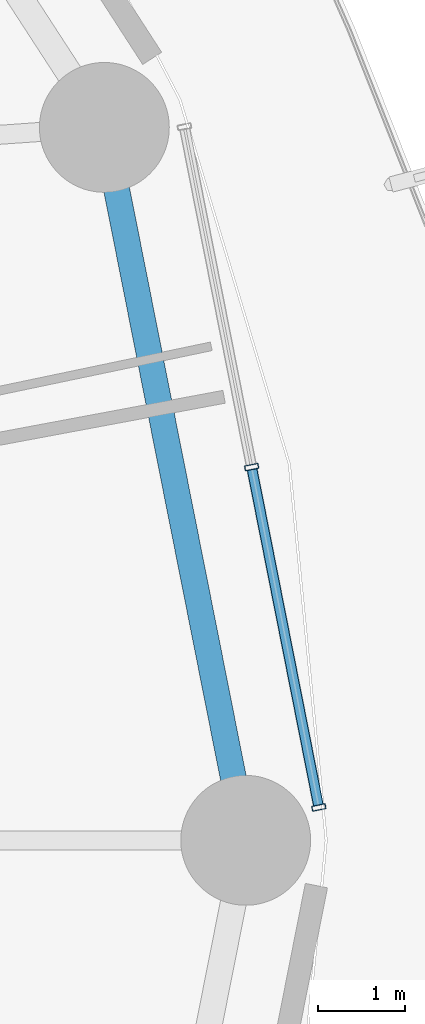
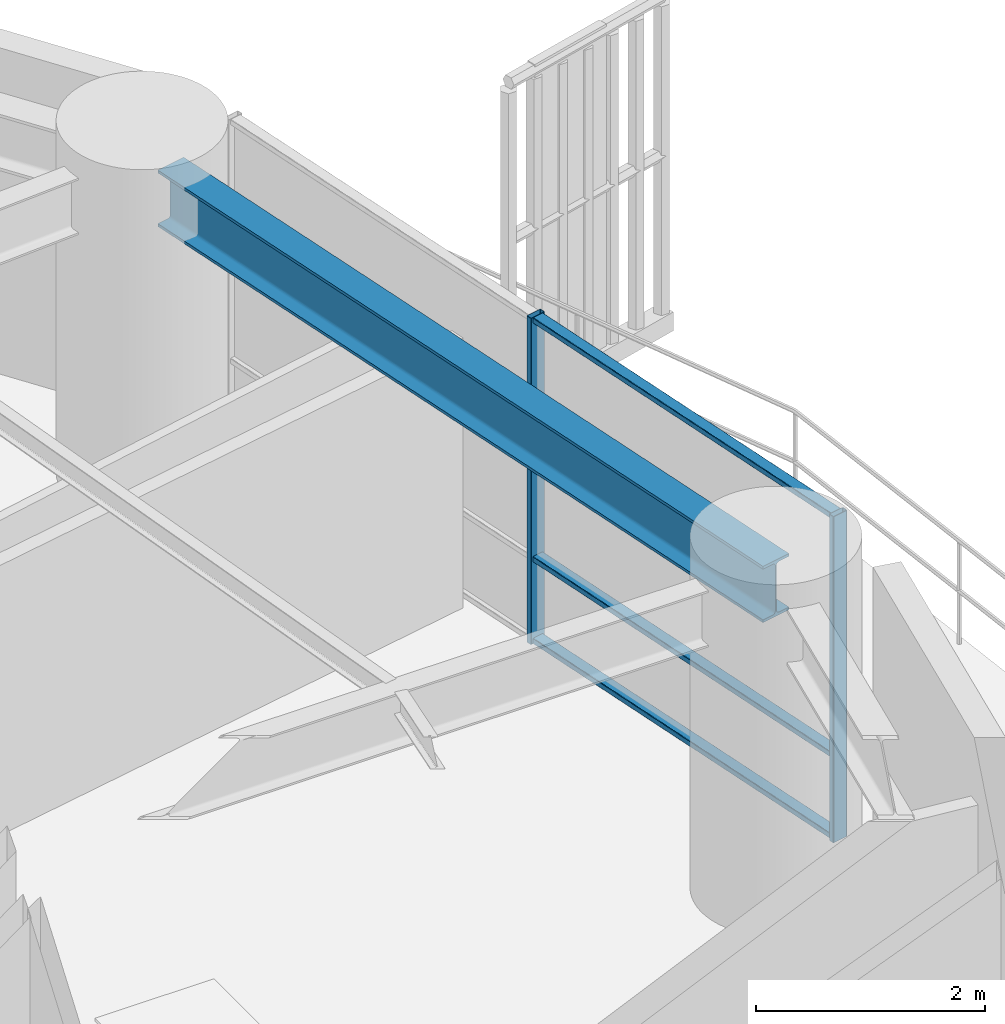
# One storey, part 14 of 33: 5 members, 1 beam, 1 element without a shape of its own.
"""IFC4 building model written with IfcOpenShell, lengths in metres."""

from ifc_helpers import new_model, si_unit, direction, frame, origin, origin_2d, place, context, subcontext, project, spatial, hollow_rectangle, i_section, extrude, material, layer, layer_set, material_profile, profile_set, type_object, element, aggregate, save


model = new_model("IFC4")

# Units and contexts
model_context = context("Model", 3, precision=1e-05, world=origin(), true_north=direction((0.0, 1.0)))
body_context = subcontext(model_context, "Body", "Model", "MODEL_VIEW")
ifc_project = project(units=[si_unit("LENGTHUNIT", "METRE"), si_unit("AREAUNIT", "SQUARE_METRE"), si_unit("VOLUMEUNIT", "CUBIC_METRE"), si_unit("PLANEANGLEUNIT", "RADIAN"), si_unit("MASSUNIT", "GRAM", prefix="KILO")], contexts=[model_context])

# Site, building, storey
site_placement = place(None, origin())
site = spatial("IfcSite", under=ifc_project, at=site_placement, CompositionType="ELEMENT")
building_placement = place(site_placement, origin())
building = spatial("IfcBuilding", under=site, at=building_placement, Name="Kelanora Arch Commons", CompositionType="ELEMENT")
storey_placement = place(building_placement, frame((0.0, 0.0, 37.5)))
storey = spatial("IfcBuildingStorey", under=building, at=storey_placement, Name="L09", CompositionType="ELEMENT", Elevation=37.5)

# Beam
ifc_material_1 = material(Name="Steel S355", Category="steel")
ifc_material_profile_1 = material_profile(ifc_material_1, i_section(OverallWidth=0.300048828125, OverallDepth=0.60009765625, WebThickness=0.015380859375, FlangeThickness=0.030029296875, FilletRadius=0.027099609375, at=origin_2d()), Name="HEB600")
ifc_profile_set_1 = profile_set([ifc_material_profile_1], Name="Steel S355")
beam_type = type_object("IfcBeamType", Name="BM-SPN-Z1", PredefinedType="SPANDREL", material=ifc_profile_set_1)
beam_placement = place(storey_placement, frame((101.080078125, 58.0, 3.18994140625), z_axis=(-0.194522790633, 0.980897998736, 0.0), x_axis=(-0.980897998736, -0.194522790633, 0.0)))
element("IfcBeam", 1, at=beam_placement, inside=storey, type_object=beam_type, Name="Perimeter Spandrel Beam BS-00 L09", PredefinedType="SPANDREL", context=body_context, shape_type="SweptSolid", body=[
    extrude(i_section(OverallWidth=0.300048828125, OverallDepth=0.60009765625, WebThickness=0.015380859375, FlangeThickness=0.030029296875, FilletRadius=0.027099609375, at=origin_2d()), origin(), (0.0, 0.0, 1.0), 8.01611328125),
])

# Curtain wall, members
ifc_material_2 = material(Name="Terracotta ceramic-fritted low-E glass and aluminium", Category="masonry")
ifc_layer = layer(ifc_material_2, 0.159912109375)
ifc_layer_set = layer_set([ifc_layer], Name="Terracotta ceramic-fritted low-E glass and aluminium")
curtain_wall_type = type_object("IfcCurtainWallType", Name="CW-SYS-01", PredefinedType="NOTDEFINED", material=ifc_layer_set)
curtain_wall_placement = place(storey_placement, origin())
curtain_wall = element("IfcCurtainWall", 2, at=curtain_wall_placement, inside=storey, type_object=curtain_wall_type, Name="Unitised Curtain Wall L09-B00", PredefinedType="NOTDEFINED")
ifc_material_3 = material(Name="Powder-coated aluminium terracotta", Category="masonry")
ifc_material_profile_2 = material_profile(ifc_material_3, hollow_rectangle(XDim=0.159912109375, YDim=0.06005859375, WallThickness=0.0048828125, InnerFilletRadius=0.0048828125, OuterFilletRadius=0.010009765625, at=origin_2d()), Name="CWM160x60")
ifc_profile_set_2 = profile_set([ifc_material_profile_2], Name="Powder-coated aluminium terracotta")
member_type_1 = type_object("IfcMemberType", Name="CWM-STD", PredefinedType="MULLION", material=ifc_profile_set_2)
member_1_placement = place(storey_placement, frame((101.925048828125, 58.379150390625, 0.0), z_axis=(0.0, 0.0, 1.0), x_axis=(-0.981052110579, -0.193744048498, 0.0)))
member_1 = element("IfcMember", 3, at=member_1_placement, type_object=member_type_1, Name="CW-01 mullion 1", PredefinedType="MULLION", context=body_context, shape_type="SweptSolid", body=[
    extrude(hollow_rectangle(XDim=0.159912109375, YDim=0.06005859375, WallThickness=0.0048828125, InnerFilletRadius=0.0048828125, OuterFilletRadius=0.010009765625, at=origin_2d()), origin(), (0.0, 0.0, 1.0), 3.47509765625),
])
member_2_placement = place(storey_placement, frame((101.1484375, 62.3115234375, 0.0), z_axis=(0.0, 0.0, 1.0), x_axis=(-0.981052110579, -0.193744048498, 0.0)))
member_2 = element("IfcMember", 4, at=member_2_placement, type_object=member_type_1, Name="CW-01 mullion 2", PredefinedType="MULLION", context=body_context, shape_type="SweptSolid", body=[
    extrude(hollow_rectangle(XDim=0.159912109375, YDim=0.06005859375, WallThickness=0.0048828125, InnerFilletRadius=0.0048828125, OuterFilletRadius=0.010009765625, at=origin_2d()), origin(), (0.0, 0.0, 1.0), 3.47509765625),
])
ifc_material_profile_3 = material_profile(ifc_material_3, hollow_rectangle(XDim=0.1201171875, YDim=0.06005859375, WallThickness=0.0048828125, InnerFilletRadius=0.0048828125, OuterFilletRadius=0.010009765625, at=origin_2d()), Name="CWT120x60")
ifc_profile_set_3 = profile_set([ifc_material_profile_3], Name="Powder-coated aluminium terracotta")
member_type_2 = type_object("IfcMemberType", Name="CWT-STD", PredefinedType="USERDEFINED", material=ifc_profile_set_3)
member_3_placement = place(storey_placement, frame((101.919189453125, 58.408447265625, 0.030029296875), z_axis=(-0.193725436624, 0.98105578598, 0.0), x_axis=(-0.98105578598, -0.193725436624, 0.0)))
member_3 = element("IfcMember", 5, at=member_3_placement, type_object=member_type_2, Name="CW-01 transom 1.1", ObjectType="TRANSOM", PredefinedType="USERDEFINED", context=body_context, shape_type="SweptSolid", body=[
    extrude(hollow_rectangle(XDim=0.1201171875, YDim=0.06005859375, WallThickness=0.0048828125, InnerFilletRadius=0.0048828125, OuterFilletRadius=0.010009765625, at=origin_2d()), origin(), (0.0, 0.0, 1.0), 3.9482421875),
])
member_4_placement = place(storey_placement, frame((101.919189453125, 58.408447265625, 0.89990234375), z_axis=(-0.193725436624, 0.98105578598, 0.0), x_axis=(-0.98105578598, -0.193725436624, 0.0)))
member_4 = element("IfcMember", 6, at=member_4_placement, type_object=member_type_2, Name="CW-01 transom 1.2", ObjectType="TRANSOM", PredefinedType="USERDEFINED", context=body_context, shape_type="SweptSolid", body=[
    extrude(hollow_rectangle(XDim=0.1201171875, YDim=0.06005859375, WallThickness=0.0048828125, InnerFilletRadius=0.0048828125, OuterFilletRadius=0.010009765625, at=origin_2d()), origin(), (0.0, 0.0, 1.0), 3.9482421875),
])
member_5_placement = place(storey_placement, frame((101.919189453125, 58.408447265625, 3.445068359375), z_axis=(-0.193725436624, 0.98105578598, 0.0), x_axis=(-0.98105578598, -0.193725436624, 0.0)))
member_5 = element("IfcMember", 7, at=member_5_placement, type_object=member_type_2, Name="CW-01 transom 1.3", ObjectType="TRANSOM", PredefinedType="USERDEFINED", context=body_context, shape_type="SweptSolid", body=[
    extrude(hollow_rectangle(XDim=0.1201171875, YDim=0.06005859375, WallThickness=0.0048828125, InnerFilletRadius=0.0048828125, OuterFilletRadius=0.010009765625, at=origin_2d()), origin(), (0.0, 0.0, 1.0), 3.9482421875),
])
aggregate(curtain_wall, [member_1, member_2, member_3, member_4, member_5])

save(model, "model.ifc")
